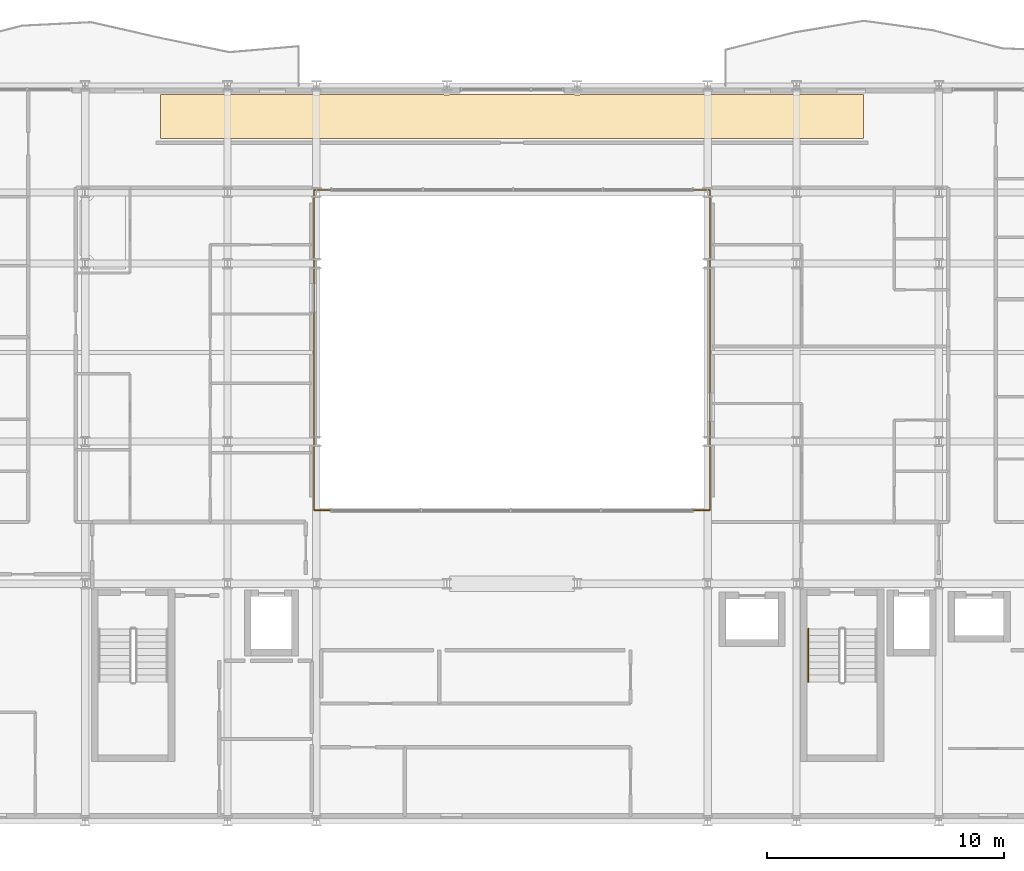
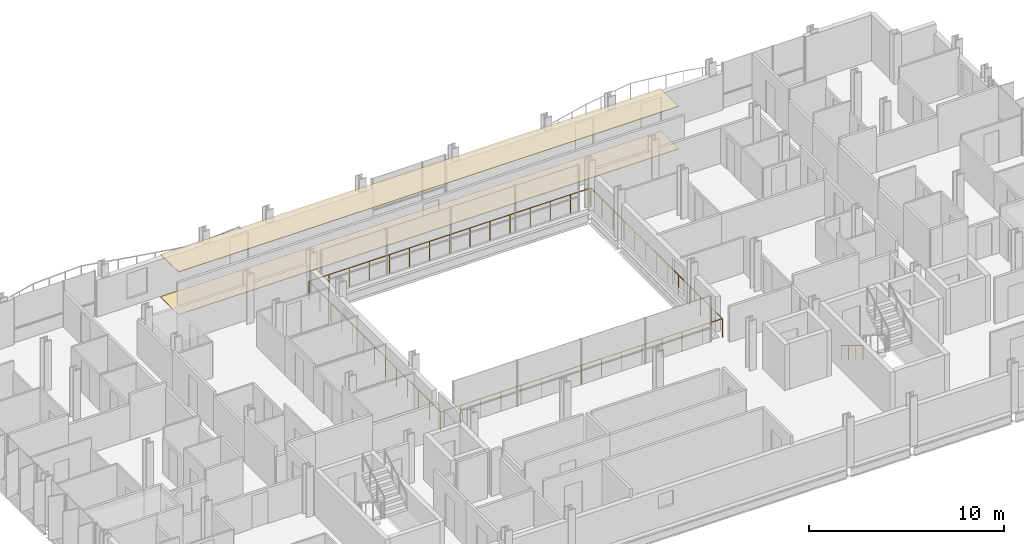
# One storey, part 36 of 38: 3 railings, 2 coverings.
"""IFC4 building model written with IfcOpenShell, lengths in metres."""

from ifc_helpers import new_model, si_unit, direction, frame, origin, origin_2d, place, context, subcontext, project, spatial, polyline, circle, outline, extrude, material, layer, layer_set, type_object, element, save


model = new_model("IFC4")

# Units and contexts
model_context = context("Model", 3, precision=1e-05, world=origin(), true_north=direction((0.0, 1.0)))
body_context = subcontext(model_context, "Body", "Model", "MODEL_VIEW")
ifc_project = project(units=[si_unit("LENGTHUNIT", "METRE"), si_unit("AREAUNIT", "SQUARE_METRE"), si_unit("VOLUMEUNIT", "CUBIC_METRE"), si_unit("PLANEANGLEUNIT", "RADIAN"), si_unit("MASSUNIT", "GRAM", prefix="KILO")], contexts=[model_context])

# Site, building, storey
site_placement = place(None, origin())
site = spatial("IfcSite", under=ifc_project, at=site_placement, CompositionType="ELEMENT")
building_placement = place(site_placement, origin())
building = spatial("IfcBuilding", under=site, at=building_placement, Name="Brevholm Reach", CompositionType="ELEMENT")
storey_placement = place(building_placement, frame((0.0, 0.0, 65.199951171875)))
storey = spatial("IfcBuildingStorey", under=building, at=storey_placement, Name="L18", CompositionType="ELEMENT", Elevation=65.199951171875)

# Coverings
ifc_material_1 = material(Name="Moisture-Resistant Skimmed Gypsum Plasterboard Ceiling", Category="gypsum")
ifc_layer_1 = layer(ifc_material_1, 0.030029296875)
ifc_layer_set_1 = layer_set([ifc_layer_1], Name="Moisture-Resistant Skimmed Gypsum Plasterboard Ceiling")
covering_type_1 = type_object("IfcCoveringType", Name="COV-CLG-GYP", PredefinedType="CEILING", material=ifc_layer_set_1)
covering_1_placement = place(storey_placement, frame((0.0, 0.0, 2.670166015625)))
element("IfcCovering", 1, at=covering_1_placement, inside=storey, type_object=covering_type_1, Name="L18 Suspended Ceiling L18-76", PredefinedType="CEILING", context=body_context, shape_type="SweptSolid", body=[
    extrude(outline(polyline([(15.179931640625, 30.6201171875), (17.876220703125, 30.6201171875), (17.8837890625, 30.6171875), (17.922119140625, 30.607666015625), (17.960693359375, 30.601806640625), (18.0, 30.60009765625), (18.039306640625, 30.601806640625), (18.077880859375, 30.607666015625), (18.1162109375, 30.6171875), (18.123779296875, 30.6201171875), (21.626220703125, 30.6201171875), (21.6337890625, 30.6171875), (21.672119140625, 30.607666015625), (21.710693359375, 30.601806640625), (21.75, 30.60009765625), (21.789306640625, 30.601806640625), (21.827880859375, 30.607666015625), (21.8662109375, 30.6171875), (21.873779296875, 30.6201171875), (27.126220703125, 30.6201171875), (27.1337890625, 30.6171875), (27.172119140625, 30.607666015625), (27.210693359375, 30.601806640625), (27.25, 30.60009765625), (27.289306640625, 30.601806640625), (27.327880859375, 30.607666015625), (27.3662109375, 30.6171875), (27.373779296875, 30.6201171875), (32.626220703125, 30.6201171875), (32.6337890625, 30.6171875), (32.672119140625, 30.607666015625), (32.710693359375, 30.601806640625), (32.75, 30.60009765625), (32.789306640625, 30.601806640625), (32.827880859375, 30.607666015625), (32.8662109375, 30.6171875), (32.873779296875, 30.6201171875), (38.126220703125, 30.6201171875), (38.1337890625, 30.6171875), (38.172119140625, 30.607666015625), (38.210693359375, 30.601806640625), (38.25, 30.60009765625), (38.289306640625, 30.601806640625), (38.327880859375, 30.607666015625), (38.3662109375, 30.6171875), (38.373779296875, 30.6201171875), (41.876220703125, 30.6201171875), (41.8837890625, 30.6171875), (41.922119140625, 30.607666015625), (41.960693359375, 30.601806640625), (42.0, 30.60009765625), (42.039306640625, 30.601806640625), (42.077880859375, 30.607666015625), (42.1162109375, 30.6171875), (42.123779296875, 30.6201171875), (44.820068359375, 30.6201171875), (44.820068359375, 28.783935546875), (15.179931640625, 28.783935546875), (15.179931640625, 30.6201171875)])), origin(), (0.0, 0.0, 1.0), 0.02978515625),
])
ifc_material_2 = material(Name="Honed Portland-Aggregate Resin Terrazzo Flooring", Category="concrete")
ifc_layer_2 = layer(ifc_material_2, 0.031982421875)
ifc_layer_set_2 = layer_set([ifc_layer_2], Name="Honed Portland-Aggregate Resin Terrazzo Flooring")
covering_type_2 = type_object("IfcCoveringType", Name="COV-FLR-TRZ", PredefinedType="FLOORING", material=ifc_layer_set_2)
covering_2_placement = place(storey_placement, origin())
element("IfcCovering", 2, at=covering_2_placement, inside=storey, type_object=covering_type_2, Name="L18 Floor Finish L18-76", PredefinedType="FLOORING", context=body_context, shape_type="SweptSolid", body=[
    extrude(outline(polyline([(15.179931640625, 30.6201171875), (17.876220703125, 30.6201171875), (17.8837890625, 30.6171875), (17.922119140625, 30.607666015625), (17.960693359375, 30.601806640625), (18.0, 30.60009765625), (18.039306640625, 30.601806640625), (18.077880859375, 30.607666015625), (18.1162109375, 30.6171875), (18.123779296875, 30.6201171875), (21.626220703125, 30.6201171875), (21.6337890625, 30.6171875), (21.672119140625, 30.607666015625), (21.710693359375, 30.601806640625), (21.75, 30.60009765625), (21.789306640625, 30.601806640625), (21.827880859375, 30.607666015625), (21.8662109375, 30.6171875), (21.873779296875, 30.6201171875), (27.126220703125, 30.6201171875), (27.1337890625, 30.6171875), (27.172119140625, 30.607666015625), (27.210693359375, 30.601806640625), (27.25, 30.60009765625), (27.289306640625, 30.601806640625), (27.327880859375, 30.607666015625), (27.3662109375, 30.6171875), (27.373779296875, 30.6201171875), (32.626220703125, 30.6201171875), (32.6337890625, 30.6171875), (32.672119140625, 30.607666015625), (32.710693359375, 30.601806640625), (32.75, 30.60009765625), (32.789306640625, 30.601806640625), (32.827880859375, 30.607666015625), (32.8662109375, 30.6171875), (32.873779296875, 30.6201171875), (38.126220703125, 30.6201171875), (38.1337890625, 30.6171875), (38.172119140625, 30.607666015625), (38.210693359375, 30.601806640625), (38.25, 30.60009765625), (38.289306640625, 30.601806640625), (38.327880859375, 30.607666015625), (38.3662109375, 30.6171875), (38.373779296875, 30.6201171875), (41.876220703125, 30.6201171875), (41.8837890625, 30.6171875), (41.922119140625, 30.607666015625), (41.960693359375, 30.601806640625), (42.0, 30.60009765625), (42.039306640625, 30.601806640625), (42.077880859375, 30.607666015625), (42.1162109375, 30.6171875), (42.123779296875, 30.6201171875), (44.820068359375, 30.6201171875), (44.820068359375, 28.783935546875), (15.179931640625, 28.783935546875), (15.179931640625, 30.6201171875)])), origin(), (0.0, 0.0, 1.0), 0.031982421875),
])

# Railings
ifc_material_3 = material(Name="Brushed Stainless Steel EN 1.4401 Continuous Handrail", Category="steel")
railing_type_1 = type_object("IfcRailingType", Name="RAL-HND-950", PredefinedType="HANDRAIL", material=ifc_material_3)
railing_1_placement = place(storey_placement, frame((42.5, 8.10009765625, 0.17236328125)))
element("IfcRailing", 3, at=railing_1_placement, inside=storey, type_object=railing_type_1, Name="L18 ST-2 stair handrail 1", PredefinedType="HANDRAIL", context=body_context, shape_type="SweptSolid", body=[
    extrude(circle(Radius=0.02392578125, at=origin_2d()), frame((0.0, 0.0, 0.8857421875), z_axis=(0.0, -0.85178898068, 0.523885037382), x_axis=(1.0, 0.0, 0.0)), (0.0, 0.0, 1.0), 2.629638671875),
    extrude(circle(Radius=0.02099609375, at=origin_2d()), origin(), (0.0, 0.0, 1.0), 0.86181640625),
    extrude(circle(Radius=0.02099609375, at=origin_2d()), frame((0.0, -0.74658203125, 0.459228515625)), (0.0, 0.0, 1.0), 0.86181640625),
    extrude(circle(Radius=0.02099609375, at=origin_2d()), frame((0.0, -1.493408203125, 0.91845703125)), (0.0, 0.0, 1.0), 0.86181640625),
    extrude(circle(Radius=0.02099609375, at=origin_2d()), frame((0.0, -2.239990234375, 1.377685546875)), (0.0, 0.0, 1.0), 0.86181640625),
])
ifc_material_4 = material(Name="Brushed Stainless Steel EN 1.4401 and Laminated Glass", Category="steel")
railing_type_2 = type_object("IfcRailingType", Name="RAL-TERR-1200", PredefinedType="BALUSTRADE", material=ifc_material_4)
railing_2_placement = place(storey_placement, frame((21.64990234375, 13.10009765625, 0.0)))
element("IfcRailing", 4, at=railing_2_placement, inside=storey, type_object=railing_type_2, Name="L18 Guard Balustrade RAL-L18-AT-VOID-SW", PredefinedType="BALUSTRADE", context=body_context, shape_type="SweptSolid", body=[
    extrude(circle(Radius=0.02392578125, at=origin_2d()), frame((0.0, 0.0, 1.17578125), z_axis=(1.0, 0.0, 0.0), x_axis=(0.0, 1.0, 0.0)), (0.0, 0.0, 1.0), 16.7001953125),
    extrude(circle(Radius=0.02392578125, at=origin_2d()), frame((16.7001953125, 0.0, 1.17578125), z_axis=(0.0, 1.0, 0.0), x_axis=(-1.0, 0.0, 0.0)), (0.0, 0.0, 1.0), 13.47998046875),
    extrude(circle(Radius=0.02099609375, at=origin_2d()), origin(), (0.0, 0.0, 1.0), 1.15185546875),
    extrude(circle(Radius=0.02099609375, at=origin_2d()), frame((1.19287109375, 0.0, 0.0)), (0.0, 0.0, 1.0), 1.15185546875),
    extrude(circle(Radius=0.02099609375, at=origin_2d()), frame((2.3857421875, 0.0, 0.0)), (0.0, 0.0, 1.0), 1.15185546875),
    extrude(circle(Radius=0.02099609375, at=origin_2d()), frame((3.57861328125, 0.0, 0.0)), (0.0, 0.0, 1.0), 1.15185546875),
    extrude(circle(Radius=0.02099609375, at=origin_2d()), frame((4.771484375, 0.0, 0.0)), (0.0, 0.0, 1.0), 1.15185546875),
    extrude(circle(Radius=0.02099609375, at=origin_2d()), frame((5.96435546875, 0.0, 0.0)), (0.0, 0.0, 1.0), 1.15185546875),
    extrude(circle(Radius=0.02099609375, at=origin_2d()), frame((7.1572265625, 0.0, 0.0)), (0.0, 0.0, 1.0), 1.15185546875),
    extrude(circle(Radius=0.02099609375, at=origin_2d()), frame((8.35009765625, 0.0, 0.0)), (0.0, 0.0, 1.0), 1.15185546875),
    extrude(circle(Radius=0.02099609375, at=origin_2d()), frame((9.54296875, 0.0, 0.0)), (0.0, 0.0, 1.0), 1.15185546875),
    extrude(circle(Radius=0.02099609375, at=origin_2d()), frame((10.73583984375, 0.0, 0.0)), (0.0, 0.0, 1.0), 1.15185546875),
    extrude(circle(Radius=0.02099609375, at=origin_2d()), frame((11.9287109375, 0.0, 0.0)), (0.0, 0.0, 1.0), 1.15185546875),
    extrude(circle(Radius=0.02099609375, at=origin_2d()), frame((13.12158203125, 0.0, 0.0)), (0.0, 0.0, 1.0), 1.15185546875),
    extrude(circle(Radius=0.02099609375, at=origin_2d()), frame((14.314453125, 0.0, 0.0)), (0.0, 0.0, 1.0), 1.15185546875),
    extrude(circle(Radius=0.02099609375, at=origin_2d()), frame((15.50732421875, 0.0, 0.0)), (0.0, 0.0, 1.0), 1.15185546875),
    extrude(circle(Radius=0.02099609375, at=origin_2d()), frame((16.7001953125, 0.0, 0.0)), (0.0, 0.0, 1.0), 1.15185546875),
    extrude(circle(Radius=0.02099609375, at=origin_2d()), frame((16.7001953125, 1.123291015625, 0.0)), (0.0, 0.0, 1.0), 1.15185546875),
    extrude(circle(Radius=0.02099609375, at=origin_2d()), frame((16.7001953125, 2.24658203125, 0.0)), (0.0, 0.0, 1.0), 1.15185546875),
    extrude(circle(Radius=0.02099609375, at=origin_2d()), frame((16.7001953125, 3.3701171875, 0.0)), (0.0, 0.0, 1.0), 1.15185546875),
    extrude(circle(Radius=0.02099609375, at=origin_2d()), frame((16.7001953125, 4.493408203125, 0.0)), (0.0, 0.0, 1.0), 1.15185546875),
    extrude(circle(Radius=0.02099609375, at=origin_2d()), frame((16.7001953125, 5.61669921875, 0.0)), (0.0, 0.0, 1.0), 1.15185546875),
    extrude(circle(Radius=0.02099609375, at=origin_2d()), frame((16.7001953125, 6.739990234375, 0.0)), (0.0, 0.0, 1.0), 1.15185546875),
    extrude(circle(Radius=0.02099609375, at=origin_2d()), frame((16.7001953125, 7.86328125, 0.0)), (0.0, 0.0, 1.0), 1.15185546875),
    extrude(circle(Radius=0.02099609375, at=origin_2d()), frame((16.7001953125, 8.986572265625, 0.0)), (0.0, 0.0, 1.0), 1.15185546875),
    extrude(circle(Radius=0.02099609375, at=origin_2d()), frame((16.7001953125, 10.10986328125, 0.0)), (0.0, 0.0, 1.0), 1.15185546875),
    extrude(circle(Radius=0.02099609375, at=origin_2d()), frame((16.7001953125, 11.2333984375, 0.0)), (0.0, 0.0, 1.0), 1.15185546875),
    extrude(circle(Radius=0.02099609375, at=origin_2d()), frame((16.7001953125, 12.356689453125, 0.0)), (0.0, 0.0, 1.0), 1.15185546875),
    extrude(circle(Radius=0.02099609375, at=origin_2d()), frame((16.7001953125, 13.47998046875, 0.0)), (0.0, 0.0, 1.0), 1.15185546875),
])
railing_3_placement = place(storey_placement, frame((38.330078125, 26.60009765625, 0.0)))
element("IfcRailing", 5, at=railing_3_placement, inside=storey, type_object=railing_type_2, Name="L18 Guard Balustrade RAL-L18-AT-VOID-NE", PredefinedType="BALUSTRADE", context=body_context, shape_type="SweptSolid", body=[
    extrude(circle(Radius=0.02392578125, at=origin_2d()), frame((0.0, 0.0, 1.17578125), z_axis=(-1.0, 0.0, 0.0), x_axis=(0.0, -1.0, 0.0)), (0.0, 0.0, 1.0), 16.68017578125),
    extrude(circle(Radius=0.02392578125, at=origin_2d()), frame((-16.68017578125, 0.0, 1.17578125), z_axis=(0.0, -1.0, 0.0), x_axis=(1.0, 0.0, 0.0)), (0.0, 0.0, 1.0), 13.47998046875),
    extrude(circle(Radius=0.02099609375, at=origin_2d()), origin(), (0.0, 0.0, 1.0), 1.15185546875),
    extrude(circle(Radius=0.02099609375, at=origin_2d()), frame((-1.19140625, 0.0, 0.0)), (0.0, 0.0, 1.0), 1.15185546875),
    extrude(circle(Radius=0.02099609375, at=origin_2d()), frame((-2.3828125, 0.0, 0.0)), (0.0, 0.0, 1.0), 1.15185546875),
    extrude(circle(Radius=0.02099609375, at=origin_2d()), frame((-3.57421875, 0.0, 0.0)), (0.0, 0.0, 1.0), 1.15185546875),
    extrude(circle(Radius=0.02099609375, at=origin_2d()), frame((-4.765869140625, 0.0, 0.0)), (0.0, 0.0, 1.0), 1.15185546875),
    extrude(circle(Radius=0.02099609375, at=origin_2d()), frame((-5.957275390625, 0.0, 0.0)), (0.0, 0.0, 1.0), 1.15185546875),
    extrude(circle(Radius=0.02099609375, at=origin_2d()), frame((-7.148681640625, 0.0, 0.0)), (0.0, 0.0, 1.0), 1.15185546875),
    extrude(circle(Radius=0.02099609375, at=origin_2d()), frame((-8.340087890625, 0.0, 0.0)), (0.0, 0.0, 1.0), 1.15185546875),
    extrude(circle(Radius=0.02099609375, at=origin_2d()), frame((-9.531494140625, 0.0, 0.0)), (0.0, 0.0, 1.0), 1.15185546875),
    extrude(circle(Radius=0.02099609375, at=origin_2d()), frame((-10.722900390625, 0.0, 0.0)), (0.0, 0.0, 1.0), 1.15185546875),
    extrude(circle(Radius=0.02099609375, at=origin_2d()), frame((-11.914306640625, 0.0, 0.0)), (0.0, 0.0, 1.0), 1.15185546875),
    extrude(circle(Radius=0.02099609375, at=origin_2d()), frame((-13.10595703125, 0.0, 0.0)), (0.0, 0.0, 1.0), 1.15185546875),
    extrude(circle(Radius=0.02099609375, at=origin_2d()), frame((-14.29736328125, 0.0, 0.0)), (0.0, 0.0, 1.0), 1.15185546875),
    extrude(circle(Radius=0.02099609375, at=origin_2d()), frame((-15.48876953125, 0.0, 0.0)), (0.0, 0.0, 1.0), 1.15185546875),
    extrude(circle(Radius=0.02099609375, at=origin_2d()), frame((-16.68017578125, 0.0, 0.0)), (0.0, 0.0, 1.0), 1.15185546875),
    extrude(circle(Radius=0.02099609375, at=origin_2d()), frame((-16.68017578125, -1.123291015625, 0.0)), (0.0, 0.0, 1.0), 1.15185546875),
    extrude(circle(Radius=0.02099609375, at=origin_2d()), frame((-16.68017578125, -2.24658203125, 0.0)), (0.0, 0.0, 1.0), 1.15185546875),
    extrude(circle(Radius=0.02099609375, at=origin_2d()), frame((-16.68017578125, -3.3701171875, 0.0)), (0.0, 0.0, 1.0), 1.15185546875),
    extrude(circle(Radius=0.02099609375, at=origin_2d()), frame((-16.68017578125, -4.493408203125, 0.0)), (0.0, 0.0, 1.0), 1.15185546875),
    extrude(circle(Radius=0.02099609375, at=origin_2d()), frame((-16.68017578125, -5.61669921875, 0.0)), (0.0, 0.0, 1.0), 1.15185546875),
    extrude(circle(Radius=0.02099609375, at=origin_2d()), frame((-16.68017578125, -6.739990234375, 0.0)), (0.0, 0.0, 1.0), 1.15185546875),
    extrude(circle(Radius=0.02099609375, at=origin_2d()), frame((-16.68017578125, -7.86328125, 0.0)), (0.0, 0.0, 1.0), 1.15185546875),
    extrude(circle(Radius=0.02099609375, at=origin_2d()), frame((-16.68017578125, -8.986572265625, 0.0)), (0.0, 0.0, 1.0), 1.15185546875),
    extrude(circle(Radius=0.02099609375, at=origin_2d()), frame((-16.68017578125, -10.10986328125, 0.0)), (0.0, 0.0, 1.0), 1.15185546875),
    extrude(circle(Radius=0.02099609375, at=origin_2d()), frame((-16.68017578125, -11.2333984375, 0.0)), (0.0, 0.0, 1.0), 1.15185546875),
    extrude(circle(Radius=0.02099609375, at=origin_2d()), frame((-16.68017578125, -12.356689453125, 0.0)), (0.0, 0.0, 1.0), 1.15185546875),
    extrude(circle(Radius=0.02099609375, at=origin_2d()), frame((-16.68017578125, -13.47998046875, 0.0)), (0.0, 0.0, 1.0), 1.15185546875),
])

save(model, "model.ifc")
